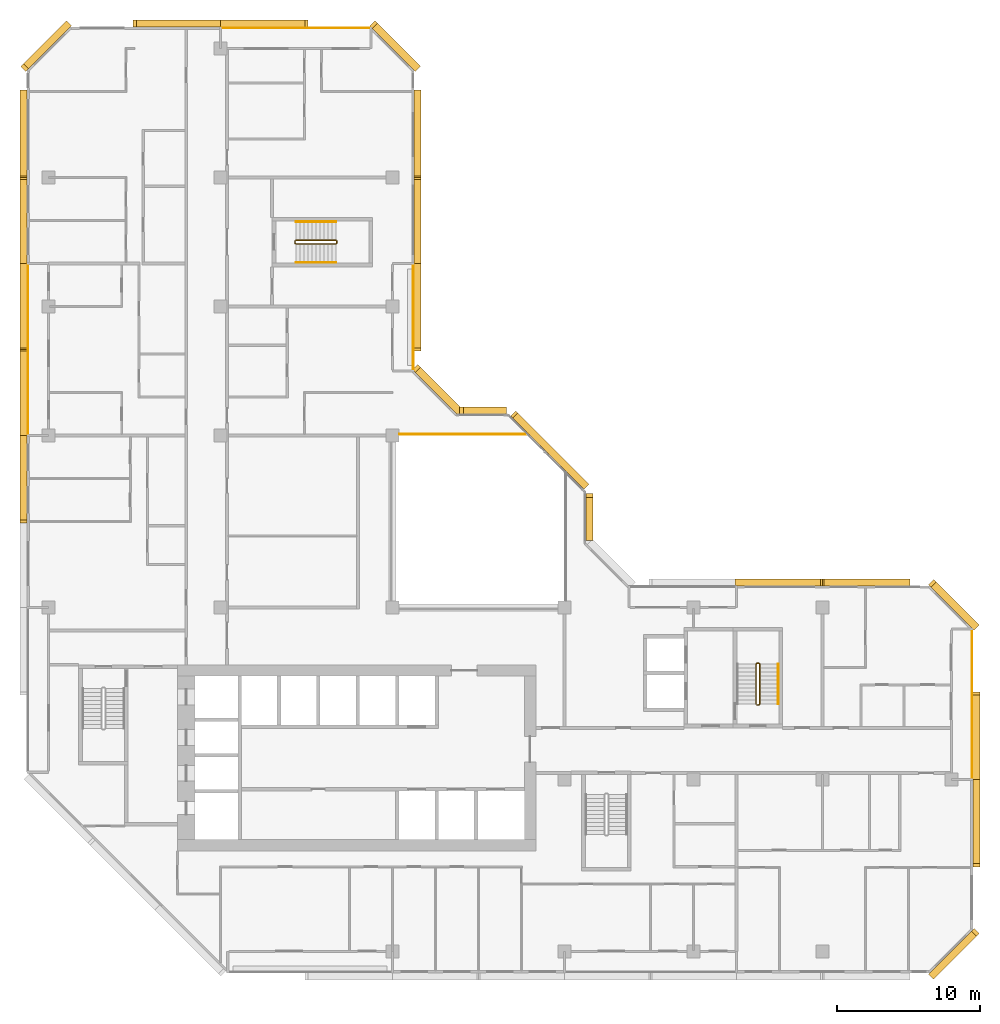
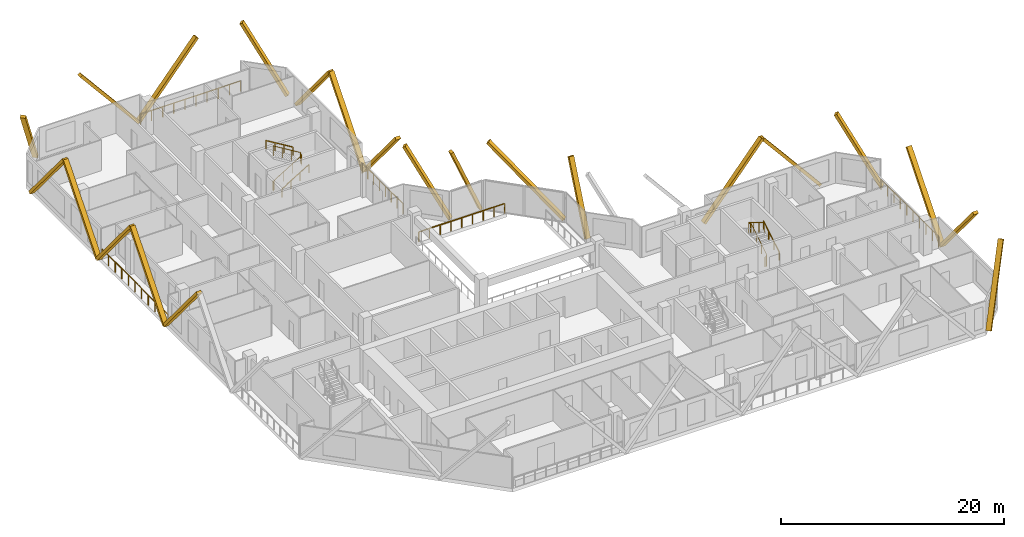
# One storey, part 14 of 14: 22 coverings, 10 railings.
"""IFC4 building model written with IfcOpenShell, lengths in metres."""

from ifc_helpers import new_model, si_unit, direction, frame, origin, origin_2d, place, context, subcontext, project, spatial, rectangle, extrude, material, material_profile, profile_set, type_object, element, save


model = new_model("IFC4")

# Units and contexts
model_context = context("Model", 3, precision=1e-05, world=origin(), true_north=direction((0.0, 1.0)))
body_context = subcontext(model_context, "Body", "Model", "MODEL_VIEW")
ifc_project = project(units=[si_unit("LENGTHUNIT", "METRE"), si_unit("AREAUNIT", "SQUARE_METRE"), si_unit("VOLUMEUNIT", "CUBIC_METRE"), si_unit("PLANEANGLEUNIT", "RADIAN"), si_unit("MASSUNIT", "GRAM", prefix="KILO")], contexts=[model_context])

# Site, building, storey
site_placement = place(None, origin())
site = spatial("IfcSite", under=ifc_project, at=site_placement, CompositionType="ELEMENT")
building_placement = place(site_placement, origin())
building = spatial("IfcBuilding", under=site, at=building_placement, Name="Chenar Terraces", CompositionType="ELEMENT")
storey_placement = place(building_placement, frame((0.0, 0.0, 179.89990234375)))
storey = spatial("IfcBuildingStorey", under=building, at=storey_placement, Name="L41", CompositionType="ELEMENT", Elevation=179.89990234375)

# Railings
ifc_material_1 = material(Name="Powder-coated steel", Category="steel")
railing_type_1 = type_object("IfcRailingType", Name="Guard 1100 steel rail with glass infill", PredefinedType="GUARDRAIL", material=ifc_material_1)
railing_1_placement = place(storey_placement, frame((24.5, 36.10009765625, 0.0)))
element("IfcRailing", 1, at=railing_1_placement, inside=storey, type_object=railing_type_1, Name="Guard L41-2", PredefinedType="GUARDRAIL", context=body_context, shape_type="SweptSolid", body=[
    extrude(rectangle(XDim=0.06005859375, YDim=0.06005859375, at=origin_2d()), frame((0.0, 0.0, 1.070068359375), z_axis=(1.0, 0.0, 0.0), x_axis=(0.0, 1.0, 0.0)), (0.0, 0.0, 1.0), 8.89990234375),
    extrude(rectangle(XDim=0.050048828125, YDim=0.050048828125, at=origin_2d()), origin(), (0.0, 0.0, 1.0), 1.0400390625),
    extrude(rectangle(XDim=0.050048828125, YDim=0.050048828125, at=origin_2d()), frame((1.112548828125, 0.0, 0.0)), (0.0, 0.0, 1.0), 1.0400390625),
    extrude(rectangle(XDim=0.050048828125, YDim=0.050048828125, at=origin_2d()), frame((2.22509765625, 0.0, 0.0)), (0.0, 0.0, 1.0), 1.0400390625),
    extrude(rectangle(XDim=0.050048828125, YDim=0.050048828125, at=origin_2d()), frame((3.33740234375, 0.0, 0.0)), (0.0, 0.0, 1.0), 1.0400390625),
    extrude(rectangle(XDim=0.050048828125, YDim=0.050048828125, at=origin_2d()), frame((4.449951171875, 0.0, 0.0)), (0.0, 0.0, 1.0), 1.0400390625),
    extrude(rectangle(XDim=0.050048828125, YDim=0.050048828125, at=origin_2d()), frame((5.5625, 0.0, 0.0)), (0.0, 0.0, 1.0), 1.0400390625),
    extrude(rectangle(XDim=0.050048828125, YDim=0.050048828125, at=origin_2d()), frame((6.6748046875, 0.0, 0.0)), (0.0, 0.0, 1.0), 1.0400390625),
    extrude(rectangle(XDim=0.050048828125, YDim=0.050048828125, at=origin_2d()), frame((7.787353515625, 0.0, 0.0)), (0.0, 0.0, 1.0), 1.0400390625),
    extrude(rectangle(XDim=0.050048828125, YDim=0.050048828125, at=origin_2d()), frame((8.89990234375, 0.0, 0.0)), (0.0, 0.0, 1.0), 1.0400390625),
])
ifc_material_2 = material(Name="Stainless steel and glass", Category="steel")
railing_type_2 = type_object("IfcRailingType", Name="Loggia guard 1150", PredefinedType="GUARDRAIL", material=ifc_material_2)
railing_2_placement = place(storey_placement, frame((25.449951171875, 40.574951171875, 0.0)))
element("IfcRailing", 2, at=railing_2_placement, inside=storey, type_object=railing_type_2, Name="Loggia guard", PredefinedType="GUARDRAIL", context=body_context, shape_type="SweptSolid", body=[
    extrude(rectangle(XDim=0.048095703125, YDim=0.048095703125, at=origin_2d()), frame((0.0, 0.0, 1.1259765625), z_axis=(0.0, 1.0, 0.0), x_axis=(-1.0, 0.0, 0.0)), (0.0, 0.0, 1.0), 7.35009765625),
    extrude(rectangle(XDim=0.0419921875, YDim=0.0419921875, at=origin_2d()), origin(), (0.0, 0.0, 1.0), 1.101806640625),
    extrude(rectangle(XDim=0.0419921875, YDim=0.0419921875, at=origin_2d()), frame((0.0, 1.050048828125, 0.0)), (0.0, 0.0, 1.0), 1.101806640625),
    extrude(rectangle(XDim=0.0419921875, YDim=0.0419921875, at=origin_2d()), frame((0.0, 2.10009765625, 0.0)), (0.0, 0.0, 1.0), 1.101806640625),
    extrude(rectangle(XDim=0.0419921875, YDim=0.0419921875, at=origin_2d()), frame((0.0, 3.150146484375, 0.0)), (0.0, 0.0, 1.0), 1.101806640625),
    extrude(rectangle(XDim=0.0419921875, YDim=0.0419921875, at=origin_2d()), frame((0.0, 4.199951171875, 0.0)), (0.0, 0.0, 1.0), 1.101806640625),
    extrude(rectangle(XDim=0.0419921875, YDim=0.0419921875, at=origin_2d()), frame((0.0, 5.25, 0.0)), (0.0, 0.0, 1.0), 1.101806640625),
    extrude(rectangle(XDim=0.0419921875, YDim=0.0419921875, at=origin_2d()), frame((0.0, 6.300048828125, 0.0)), (0.0, 0.0, 1.0), 1.101806640625),
    extrude(rectangle(XDim=0.0419921875, YDim=0.0419921875, at=origin_2d()), frame((0.0, 7.35009765625, 0.0)), (0.0, 0.0, 1.0), 1.101806640625),
])
railing_3_placement = place(storey_placement, frame((64.449951171875, 12.074951171875, 0.0)))
element("IfcRailing", 3, at=railing_3_placement, inside=storey, type_object=railing_type_2, Name="Loggia guard", PredefinedType="GUARDRAIL", context=body_context, shape_type="SweptSolid", body=[
    extrude(rectangle(XDim=0.048095703125, YDim=0.048095703125, at=origin_2d()), frame((0.0, 0.0, 1.1259765625), z_axis=(0.0, 1.0, 0.0), x_axis=(-1.0, 0.0, 0.0)), (0.0, 0.0, 1.0), 10.35009765625),
    extrude(rectangle(XDim=0.0419921875, YDim=0.0419921875, at=origin_2d()), origin(), (0.0, 0.0, 1.0), 1.101806640625),
    extrude(rectangle(XDim=0.0419921875, YDim=0.0419921875, at=origin_2d()), frame((0.0, 1.14990234375, 0.0)), (0.0, 0.0, 1.0), 1.101806640625),
    extrude(rectangle(XDim=0.0419921875, YDim=0.0419921875, at=origin_2d()), frame((0.0, 2.300048828125, 0.0)), (0.0, 0.0, 1.0), 1.101806640625),
    extrude(rectangle(XDim=0.0419921875, YDim=0.0419921875, at=origin_2d()), frame((0.0, 3.449951171875, 0.0)), (0.0, 0.0, 1.0), 1.101806640625),
    extrude(rectangle(XDim=0.0419921875, YDim=0.0419921875, at=origin_2d()), frame((0.0, 4.60009765625, 0.0)), (0.0, 0.0, 1.0), 1.101806640625),
    extrude(rectangle(XDim=0.0419921875, YDim=0.0419921875, at=origin_2d()), frame((0.0, 5.75, 0.0)), (0.0, 0.0, 1.0), 1.101806640625),
    extrude(rectangle(XDim=0.0419921875, YDim=0.0419921875, at=origin_2d()), frame((0.0, 6.900146484375, 0.0)), (0.0, 0.0, 1.0), 1.101806640625),
    extrude(rectangle(XDim=0.0419921875, YDim=0.0419921875, at=origin_2d()), frame((0.0, 8.050048828125, 0.0)), (0.0, 0.0, 1.0), 1.101806640625),
    extrude(rectangle(XDim=0.0419921875, YDim=0.0419921875, at=origin_2d()), frame((0.0, 9.2001953125, 0.0)), (0.0, 0.0, 1.0), 1.101806640625),
    extrude(rectangle(XDim=0.0419921875, YDim=0.0419921875, at=origin_2d()), frame((0.0, 10.35009765625, 0.0)), (0.0, 0.0, 1.0), 1.101806640625),
])
railing_4_placement = place(storey_placement, frame((22.425048828125, 64.449951171875, 0.0)))
element("IfcRailing", 4, at=railing_4_placement, inside=storey, type_object=railing_type_2, Name="Loggia guard", PredefinedType="GUARDRAIL", context=body_context, shape_type="SweptSolid", body=[
    extrude(rectangle(XDim=0.048095703125, YDim=0.048095703125, at=origin_2d()), frame((0.0, 0.0, 1.1259765625), z_axis=(-1.0, 0.0, 0.0), x_axis=(0.0, -1.0, 0.0)), (0.0, 0.0, 1.0), 10.35009765625),
    extrude(rectangle(XDim=0.0419921875, YDim=0.0419921875, at=origin_2d()), origin(), (0.0, 0.0, 1.0), 1.101806640625),
    extrude(rectangle(XDim=0.0419921875, YDim=0.0419921875, at=origin_2d()), frame((-1.14990234375, 0.0, 0.0)), (0.0, 0.0, 1.0), 1.101806640625),
    extrude(rectangle(XDim=0.0419921875, YDim=0.0419921875, at=origin_2d()), frame((-2.300048828125, 0.0, 0.0)), (0.0, 0.0, 1.0), 1.101806640625),
    extrude(rectangle(XDim=0.0419921875, YDim=0.0419921875, at=origin_2d()), frame((-3.449951171875, 0.0, 0.0)), (0.0, 0.0, 1.0), 1.101806640625),
    extrude(rectangle(XDim=0.0419921875, YDim=0.0419921875, at=origin_2d()), frame((-4.60009765625, 0.0, 0.0)), (0.0, 0.0, 1.0), 1.101806640625),
    extrude(rectangle(XDim=0.0419921875, YDim=0.0419921875, at=origin_2d()), frame((-5.75, 0.0, 0.0)), (0.0, 0.0, 1.0), 1.101806640625),
    extrude(rectangle(XDim=0.0419921875, YDim=0.0419921875, at=origin_2d()), frame((-6.900146484375, 0.0, 0.0)), (0.0, 0.0, 1.0), 1.101806640625),
    extrude(rectangle(XDim=0.0419921875, YDim=0.0419921875, at=origin_2d()), frame((-8.050048828125, 0.0, 0.0)), (0.0, 0.0, 1.0), 1.101806640625),
    extrude(rectangle(XDim=0.0419921875, YDim=0.0419921875, at=origin_2d()), frame((-9.2001953125, 0.0, 0.0)), (0.0, 0.0, 1.0), 1.101806640625),
    extrude(rectangle(XDim=0.0419921875, YDim=0.0419921875, at=origin_2d()), frame((-10.35009765625, 0.0, 0.0)), (0.0, 0.0, 1.0), 1.101806640625),
])
railing_5_placement = place(storey_placement, frame((-1.449951171875, 47.925048828125, 0.0)))
element("IfcRailing", 5, at=railing_5_placement, inside=storey, type_object=railing_type_2, Name="Loggia guard", PredefinedType="GUARDRAIL", context=body_context, shape_type="SweptSolid", body=[
    extrude(rectangle(XDim=0.048095703125, YDim=0.048095703125, at=origin_2d()), frame((0.0, 0.0, 1.1259765625), z_axis=(0.0, -1.0, 0.0), x_axis=(1.0, 0.0, 0.0)), (0.0, 0.0, 1.0), 11.85009765625),
    extrude(rectangle(XDim=0.0419921875, YDim=0.0419921875, at=origin_2d()), origin(), (0.0, 0.0, 1.0), 1.101806640625),
    extrude(rectangle(XDim=0.0419921875, YDim=0.0419921875, at=origin_2d()), frame((0.0, -1.18505859375, 0.0)), (0.0, 0.0, 1.0), 1.101806640625),
    extrude(rectangle(XDim=0.0419921875, YDim=0.0419921875, at=origin_2d()), frame((0.0, -2.3701171875, 0.0)), (0.0, 0.0, 1.0), 1.101806640625),
    extrude(rectangle(XDim=0.0419921875, YDim=0.0419921875, at=origin_2d()), frame((0.0, -3.554931640625, 0.0)), (0.0, 0.0, 1.0), 1.101806640625),
    extrude(rectangle(XDim=0.0419921875, YDim=0.0419921875, at=origin_2d()), frame((0.0, -4.739990234375, 0.0)), (0.0, 0.0, 1.0), 1.101806640625),
    extrude(rectangle(XDim=0.0419921875, YDim=0.0419921875, at=origin_2d()), frame((0.0, -5.925048828125, 0.0)), (0.0, 0.0, 1.0), 1.101806640625),
    extrude(rectangle(XDim=0.0419921875, YDim=0.0419921875, at=origin_2d()), frame((0.0, -7.110107421875, 0.0)), (0.0, 0.0, 1.0), 1.101806640625),
    extrude(rectangle(XDim=0.0419921875, YDim=0.0419921875, at=origin_2d()), frame((0.0, -8.295166015625, 0.0)), (0.0, 0.0, 1.0), 1.101806640625),
    extrude(rectangle(XDim=0.0419921875, YDim=0.0419921875, at=origin_2d()), frame((0.0, -9.47998046875, 0.0)), (0.0, 0.0, 1.0), 1.101806640625),
    extrude(rectangle(XDim=0.0419921875, YDim=0.0419921875, at=origin_2d()), frame((0.0, -10.6650390625, 0.0)), (0.0, 0.0, 1.0), 1.101806640625),
    extrude(rectangle(XDim=0.0419921875, YDim=0.0419921875, at=origin_2d()), frame((0.0, -11.85009765625, 0.0)), (0.0, 0.0, 1.0), 1.101806640625),
])
ifc_material_3 = material(Name="Powder-coated steel", Category="steel")
railing_type_3 = type_object("IfcRailingType", Name="Stair guard 1100", PredefinedType="GUARDRAIL", material=ifc_material_3)
railing_6_placement = place(storey_placement, frame((49.375, 17.25, 3.75)))
element("IfcRailing", 6, at=railing_6_placement, inside=storey, type_object=railing_type_3, Name="L41 ST3 stair guard 1", PredefinedType="GUARDRAIL", context=body_context, shape_type="SweptSolid", body=[
    extrude(rectangle(XDim=0.048095703125, YDim=0.048095703125, at=origin_2d()), frame((0.0, 0.0, 1.076171875), z_axis=(0.0, 0.854202870247, -0.519939858505), x_axis=(-1.0, 0.0, 0.0)), (0.0, 0.0, 1.0), 3.278076171875),
    extrude(rectangle(XDim=0.048095703125, YDim=0.048095703125, at=origin_2d()), frame((0.0, 2.800048828125, -0.62841796875), z_axis=(0.270899902878, 0.270899902878, -0.923702595667), x_axis=(-0.707106781187, 0.707106781187, 0.0)), (0.0, 0.0, 1.0), 0.184814453125),
    extrude(rectangle(XDim=0.048095703125, YDim=0.048095703125, at=origin_2d()), frame((0.050048828125, 2.85009765625, -0.798828125), z_axis=(1.0, 0.0, 0.0), x_axis=(0.0, 1.0, 0.0)), (0.0, 0.0, 1.0), 0.14990234375),
    extrude(rectangle(XDim=0.048095703125, YDim=0.048095703125, at=origin_2d()), frame((0.199951171875, 2.85009765625, -0.798828125), z_axis=(0.707106781187, -0.707106781187, 0.0), x_axis=(0.707106781187, 0.707106781187, 0.0)), (0.0, 0.0, 1.0), 0.07080078125),
    extrude(rectangle(XDim=0.048095703125, YDim=0.048095703125, at=origin_2d()), frame((0.25, 2.800048828125, -0.798828125), z_axis=(0.0, -0.854202870247, -0.519939858505), x_axis=(1.0, 0.0, 0.0)), (0.0, 0.0, 1.0), 3.278076171875),
    extrude(rectangle(XDim=0.048095703125, YDim=0.048095703125, at=origin_2d()), frame((0.25, 0.0, -2.50341796875), z_axis=(-0.270899902878, -0.270899902878, -0.923702595667), x_axis=(0.707106781187, -0.707106781187, 0.0)), (0.0, 0.0, 1.0), 0.184814453125),
    extrude(rectangle(XDim=0.048095703125, YDim=0.048095703125, at=origin_2d()), frame((0.199951171875, -0.050048828125, -2.673828125), z_axis=(-1.0, 0.0, 0.0), x_axis=(0.0, -1.0, 0.0)), (0.0, 0.0, 1.0), 0.14990234375),
    extrude(rectangle(XDim=0.0419921875, YDim=0.0419921875, at=origin_2d()), origin(), (0.0, 0.0, 1.0), 1.052001953125),
    extrude(rectangle(XDim=0.0419921875, YDim=0.0419921875, at=origin_2d()), frame((0.0, 0.933349609375, -0.568115234375)), (0.0, 0.0, 1.0), 1.052001953125),
    extrude(rectangle(XDim=0.0419921875, YDim=0.0419921875, at=origin_2d()), frame((0.0, 1.86669921875, -1.13623046875)), (0.0, 0.0, 1.0), 1.052001953125),
    extrude(rectangle(XDim=0.0419921875, YDim=0.0419921875, at=origin_2d()), frame((0.0, 2.800048828125, -1.704345703125)), (0.0, 0.0, 1.0), 1.052001953125),
    extrude(rectangle(XDim=0.0419921875, YDim=0.0419921875, at=origin_2d()), frame((0.050048828125, 2.85009765625, -1.875)), (0.0, 0.0, 1.0), 1.052001953125),
    extrude(rectangle(XDim=0.0419921875, YDim=0.0419921875, at=origin_2d()), frame((0.199951171875, 2.85009765625, -1.875)), (0.0, 0.0, 1.0), 1.052001953125),
    extrude(rectangle(XDim=0.0419921875, YDim=0.0419921875, at=origin_2d()), frame((0.25, 2.800048828125, -1.875)), (0.0, 0.0, 1.0), 1.052001953125),
    extrude(rectangle(XDim=0.0419921875, YDim=0.0419921875, at=origin_2d()), frame((0.25, 1.86669921875, -2.443115234375)), (0.0, 0.0, 1.0), 1.052001953125),
    extrude(rectangle(XDim=0.0419921875, YDim=0.0419921875, at=origin_2d()), frame((0.25, 0.933349609375, -3.01123046875)), (0.0, 0.0, 1.0), 1.052001953125),
    extrude(rectangle(XDim=0.0419921875, YDim=0.0419921875, at=origin_2d()), frame((0.25, 0.0, -3.579345703125)), (0.0, 0.0, 1.0), 1.052001953125),
    extrude(rectangle(XDim=0.0419921875, YDim=0.0419921875, at=origin_2d()), frame((0.199951171875, -0.050048828125, -3.75)), (0.0, 0.0, 1.0), 1.052001953125),
    extrude(rectangle(XDim=0.0419921875, YDim=0.0419921875, at=origin_2d()), frame((0.050048828125, -0.050048828125, -3.75)), (0.0, 0.0, 1.0), 1.052001953125),
])
railing_7_placement = place(storey_placement, frame((17.25, 49.625, 3.75)))
element("IfcRailing", 7, at=railing_7_placement, inside=storey, type_object=railing_type_3, Name="L41 ST4 stair guard 1", PredefinedType="GUARDRAIL", context=body_context, shape_type="SweptSolid", body=[
    extrude(rectangle(XDim=0.048095703125, YDim=0.048095703125, at=origin_2d()), frame((0.0, 0.0, 1.076171875), z_axis=(0.854202870247, 0.0, -0.519939858505), x_axis=(0.0, 1.0, 0.0)), (0.0, 0.0, 1.0), 3.278076171875),
    extrude(rectangle(XDim=0.048095703125, YDim=0.048095703125, at=origin_2d()), frame((2.800048828125, 0.0, -0.62841796875), z_axis=(0.270899902878, -0.270899902878, -0.923702595667), x_axis=(0.707106781187, 0.707106781187, 0.0)), (0.0, 0.0, 1.0), 0.184814453125),
    extrude(rectangle(XDim=0.048095703125, YDim=0.048095703125, at=origin_2d()), frame((2.85009765625, -0.050048828125, -0.798828125), z_axis=(0.0, -1.0, 0.0), x_axis=(1.0, 0.0, 0.0)), (0.0, 0.0, 1.0), 0.14990234375),
    extrude(rectangle(XDim=0.048095703125, YDim=0.048095703125, at=origin_2d()), frame((2.85009765625, -0.199951171875, -0.798828125), z_axis=(-0.707106781187, -0.707106781187, 0.0), x_axis=(0.707106781187, -0.707106781187, 0.0)), (0.0, 0.0, 1.0), 0.07080078125),
    extrude(rectangle(XDim=0.048095703125, YDim=0.048095703125, at=origin_2d()), frame((2.800048828125, -0.25, -0.798828125), z_axis=(-0.854202870247, 0.0, -0.519939858505), x_axis=(0.0, -1.0, 0.0)), (0.0, 0.0, 1.0), 3.278076171875),
    extrude(rectangle(XDim=0.048095703125, YDim=0.048095703125, at=origin_2d()), frame((0.0, -0.25, -2.50341796875), z_axis=(-0.270899902878, 0.270899902878, -0.923702595667), x_axis=(-0.707106781187, -0.707106781187, 0.0)), (0.0, 0.0, 1.0), 0.184814453125),
    extrude(rectangle(XDim=0.048095703125, YDim=0.048095703125, at=origin_2d()), frame((-0.050048828125, -0.199951171875, -2.673828125), z_axis=(0.0, 1.0, 0.0), x_axis=(-1.0, 0.0, 0.0)), (0.0, 0.0, 1.0), 0.14990234375),
    extrude(rectangle(XDim=0.0419921875, YDim=0.0419921875, at=origin_2d()), origin(), (0.0, 0.0, 1.0), 1.052001953125),
    extrude(rectangle(XDim=0.0419921875, YDim=0.0419921875, at=origin_2d()), frame((0.933349609375, 0.0, -0.568115234375)), (0.0, 0.0, 1.0), 1.052001953125),
    extrude(rectangle(XDim=0.0419921875, YDim=0.0419921875, at=origin_2d()), frame((1.86669921875, 0.0, -1.13623046875)), (0.0, 0.0, 1.0), 1.052001953125),
    extrude(rectangle(XDim=0.0419921875, YDim=0.0419921875, at=origin_2d()), frame((2.800048828125, 0.0, -1.704345703125)), (0.0, 0.0, 1.0), 1.052001953125),
    extrude(rectangle(XDim=0.0419921875, YDim=0.0419921875, at=origin_2d()), frame((2.85009765625, -0.050048828125, -1.875)), (0.0, 0.0, 1.0), 1.052001953125),
    extrude(rectangle(XDim=0.0419921875, YDim=0.0419921875, at=origin_2d()), frame((2.85009765625, -0.199951171875, -1.875)), (0.0, 0.0, 1.0), 1.052001953125),
    extrude(rectangle(XDim=0.0419921875, YDim=0.0419921875, at=origin_2d()), frame((2.800048828125, -0.25, -1.875)), (0.0, 0.0, 1.0), 1.052001953125),
    extrude(rectangle(XDim=0.0419921875, YDim=0.0419921875, at=origin_2d()), frame((1.86669921875, -0.25, -2.443115234375)), (0.0, 0.0, 1.0), 1.052001953125),
    extrude(rectangle(XDim=0.0419921875, YDim=0.0419921875, at=origin_2d()), frame((0.933349609375, -0.25, -3.01123046875)), (0.0, 0.0, 1.0), 1.052001953125),
    extrude(rectangle(XDim=0.0419921875, YDim=0.0419921875, at=origin_2d()), frame((0.0, -0.25, -3.579345703125)), (0.0, 0.0, 1.0), 1.052001953125),
    extrude(rectangle(XDim=0.0419921875, YDim=0.0419921875, at=origin_2d()), frame((-0.050048828125, -0.199951171875, -3.75)), (0.0, 0.0, 1.0), 1.052001953125),
    extrude(rectangle(XDim=0.0419921875, YDim=0.0419921875, at=origin_2d()), frame((-0.050048828125, -0.050048828125, -3.75)), (0.0, 0.0, 1.0), 1.052001953125),
])
ifc_material_4 = material(Name="Powder-coated steel", Category="steel")
railing_type_4 = type_object("IfcRailingType", Name="Stair handrail 900", PredefinedType="HANDRAIL", material=ifc_material_4)
railing_8_placement = place(storey_placement, frame((50.925048828125, 17.25, 0.170654296875)))
element("IfcRailing", 8, at=railing_8_placement, inside=storey, type_object=railing_type_4, Name="L41 ST3 stair handrail 1", PredefinedType="HANDRAIL", context=body_context, shape_type="SweptSolid", body=[
    extrude(rectangle(XDim=0.048095703125, YDim=0.048095703125, at=origin_2d()), frame((0.0, 0.0, 0.8759765625), z_axis=(0.0, 0.854202870247, 0.519939858505), x_axis=(-1.0, 0.0, 0.0)), (0.0, 0.0, 1.0), 3.278076171875),
    extrude(rectangle(XDim=0.0419921875, YDim=0.0419921875, at=origin_2d()), origin(), (0.0, 0.0, 1.0), 0.851806640625),
    extrude(rectangle(XDim=0.0419921875, YDim=0.0419921875, at=origin_2d()), frame((0.0, 0.933349609375, 0.568115234375)), (0.0, 0.0, 1.0), 0.851806640625),
    extrude(rectangle(XDim=0.0419921875, YDim=0.0419921875, at=origin_2d()), frame((0.0, 1.86669921875, 1.13623046875)), (0.0, 0.0, 1.0), 0.851806640625),
    extrude(rectangle(XDim=0.0419921875, YDim=0.0419921875, at=origin_2d()), frame((0.0, 2.800048828125, 1.704345703125)), (0.0, 0.0, 1.0), 0.851806640625),
])
railing_9_placement = place(storey_placement, frame((17.25, 48.074951171875, 0.170654296875)))
element("IfcRailing", 9, at=railing_9_placement, inside=storey, type_object=railing_type_4, Name="L41 ST4 stair handrail 1", PredefinedType="HANDRAIL", context=body_context, shape_type="SweptSolid", body=[
    extrude(rectangle(XDim=0.048095703125, YDim=0.048095703125, at=origin_2d()), frame((0.0, 0.0, 0.8759765625), z_axis=(0.854202870247, 0.0, 0.519939858505), x_axis=(0.0, 1.0, 0.0)), (0.0, 0.0, 1.0), 3.278076171875),
    extrude(rectangle(XDim=0.0419921875, YDim=0.0419921875, at=origin_2d()), origin(), (0.0, 0.0, 1.0), 0.851806640625),
    extrude(rectangle(XDim=0.0419921875, YDim=0.0419921875, at=origin_2d()), frame((0.933349609375, 0.0, 0.568115234375)), (0.0, 0.0, 1.0), 0.851806640625),
    extrude(rectangle(XDim=0.0419921875, YDim=0.0419921875, at=origin_2d()), frame((1.86669921875, 0.0, 1.13623046875)), (0.0, 0.0, 1.0), 0.851806640625),
    extrude(rectangle(XDim=0.0419921875, YDim=0.0419921875, at=origin_2d()), frame((2.800048828125, 0.0, 1.704345703125)), (0.0, 0.0, 1.0), 0.851806640625),
])
railing_10_placement = place(storey_placement, frame((20.050048828125, 50.925048828125, 2.045654296875)))
element("IfcRailing", 10, at=railing_10_placement, inside=storey, type_object=railing_type_4, Name="L41 ST4 stair handrail 2", PredefinedType="HANDRAIL", context=body_context, shape_type="SweptSolid", body=[
    extrude(rectangle(XDim=0.048095703125, YDim=0.048095703125, at=origin_2d()), frame((0.0, 0.0, 0.8759765625), z_axis=(-0.854202870247, 0.0, 0.519939858505), x_axis=(0.0, -1.0, 0.0)), (0.0, 0.0, 1.0), 3.278076171875),
    extrude(rectangle(XDim=0.0419921875, YDim=0.0419921875, at=origin_2d()), origin(), (0.0, 0.0, 1.0), 0.851806640625),
    extrude(rectangle(XDim=0.0419921875, YDim=0.0419921875, at=origin_2d()), frame((-0.933349609375, 0.0, 0.568115234375)), (0.0, 0.0, 1.0), 0.851806640625),
    extrude(rectangle(XDim=0.0419921875, YDim=0.0419921875, at=origin_2d()), frame((-1.86669921875, 0.0, 1.13623046875)), (0.0, 0.0, 1.0), 0.851806640625),
    extrude(rectangle(XDim=0.0419921875, YDim=0.0419921875, at=origin_2d()), frame((-2.800048828125, 0.0, 1.704345703125)), (0.0, 0.0, 1.0), 0.851806640625),
])

# Coverings
ifc_material_5 = material(Name="Terracotta", Category="masonry")
ifc_material_profile = material_profile(ifc_material_5, rectangle(XDim=0.5, YDim=0.300048828125, at=origin_2d()), Name="Terracotta baguette 500 x 300")
ifc_profile_set = profile_set([ifc_material_profile], Name="Terracotta")
covering_type = type_object("IfcCoveringType", Name="Terracotta baguette 500 x 300", PredefinedType="CLADDING", material=ifc_profile_set)
for number, where, z_axis, x_axis, name in (
    (11, (60.0, 25.75, 0.150146484375), (-0.640186961885, 0.0, 0.768219144407), (0.0, -1.0, 0.0), "Terracotta baguette"),
    (12, (54.0, 25.75, 7.35009765625), (-0.640186961885, 0.0, -0.768219144407), (0.0, -1.0, 0.0), "Terracotta baguette"),
):
    element("IfcCovering", number, at=place(storey_placement, frame(where, z_axis=z_axis, x_axis=x_axis)), inside=storey, type_object=covering_type, Name=name, PredefinedType="CLADDING", context=body_context, shape_type="SweptSolid", body=[
        extrude(rectangle(XDim=0.5, YDim=0.300048828125, at=origin_2d()), origin(), (0.0, 0.0, 1.0), 9.372314453125),
    ])
covering_1_placement = place(storey_placement, frame((37.75, 28.800048828125, 0.150146484375), z_axis=(0.0, 0.384617607118, 0.923075997031), x_axis=(-1.0, 0.0, 0.0)))
element("IfcCovering", 13, at=covering_1_placement, inside=storey, type_object=covering_type, Name="Terracotta baguette", PredefinedType="CLADDING", context=body_context, shape_type="SweptSolid", body=[
    extrude(rectangle(XDim=0.5, YDim=0.300048828125, at=origin_2d()), origin(), (0.0, 0.0, 1.0), 7.800048828125),
])
covering_2_placement = place(storey_placement, frame((37.464599609375, 32.489013671875, 0.150146484375), z_axis=(-0.4942466441, 0.494222393737, 0.715167449151), x_axis=(-0.707089433343, -0.707124128605, 0.0)))
element("IfcCovering", 14, at=covering_2_placement, inside=storey, type_object=covering_type, Name="Terracotta baguette", PredefinedType="CLADDING", context=body_context, shape_type="SweptSolid", body=[
    extrude(rectangle(XDim=0.5, YDim=0.300048828125, at=origin_2d()), origin(), (0.0, 0.0, 1.0), 10.0673828125),
])
covering_3_placement = place(storey_placement, frame((31.800048828125, 37.75, 0.150146484375), z_axis=(-0.384617607118, 0.0, 0.923075997031), x_axis=(0.0, -1.0, 0.0)))
element("IfcCovering", 15, at=covering_3_placement, inside=storey, type_object=covering_type, Name="Terracotta baguette", PredefinedType="CLADDING", context=body_context, shape_type="SweptSolid", body=[
    extrude(rectangle(XDim=0.5, YDim=0.300048828125, at=origin_2d()), origin(), (0.0, 0.0, 1.0), 7.800048828125),
])
covering_4_placement = place(storey_placement, frame((28.6767578125, 37.6767578125, 0.150146484375), z_axis=(-0.358980886355, 0.358980886355, 0.861548284464), x_axis=(-0.707106781187, -0.707106781187, 0.0)))
element("IfcCovering", 16, at=covering_4_placement, inside=storey, type_object=covering_type, Name="Terracotta baguette", PredefinedType="CLADDING", context=body_context, shape_type="SweptSolid", body=[
    extrude(rectangle(XDim=0.5, YDim=0.300048828125, at=origin_2d()), origin(), (0.0, 0.0, 1.0), 8.35693359375),
])
for number, where, z_axis, x_axis, name in (
    (17, (25.75, 42.0, 7.35009765625), (0.0, 0.640186961885, -0.768219144407), (-1.0, 0.0, 0.0), "Terracotta baguette"),
    (18, (25.75, 48.0, 0.150146484375), (0.0, 0.640186961885, 0.768219144407), (-1.0, 0.0, 0.0), "Terracotta baguette"),
    (19, (25.75, 54.0, 7.35009765625), (0.0, 0.640186961885, -0.768219144407), (-1.0, 0.0, 0.0), "Terracotta baguette"),
):
    element("IfcCovering", number, at=place(storey_placement, frame(where, z_axis=z_axis, x_axis=x_axis)), inside=storey, type_object=covering_type, Name=name, PredefinedType="CLADDING", context=body_context, shape_type="SweptSolid", body=[
        extrude(rectangle(XDim=0.5, YDim=0.300048828125, at=origin_2d()), origin(), (0.0, 0.0, 1.0), 9.372314453125),
    ])
covering_5_placement = place(storey_placement, frame((25.6767578125, 61.6767578125, 0.150146484375), z_axis=(-0.358980886355, 0.358980886355, 0.861548284464), x_axis=(-0.707106781187, -0.707106781187, 0.0)))
element("IfcCovering", 20, at=covering_5_placement, inside=storey, type_object=covering_type, Name="Terracotta baguette", PredefinedType="CLADDING", context=body_context, shape_type="SweptSolid", body=[
    extrude(rectangle(XDim=0.5, YDim=0.300048828125, at=origin_2d()), origin(), (0.0, 0.0, 1.0), 8.35693359375),
])
for number, where, z_axis, x_axis, name in (
    (21, (18.0, 64.75, 7.35009765625), (-0.640186961885, 0.0, -0.768219144407), (0.0, -1.0, 0.0), "Terracotta baguette"),
    (22, (12.0, 64.75, 0.150146484375), (-0.640186961885, 0.0, 0.768219144407), (0.0, -1.0, 0.0), "Terracotta baguette"),
):
    element("IfcCovering", number, at=place(storey_placement, frame(where, z_axis=z_axis, x_axis=x_axis)), inside=storey, type_object=covering_type, Name=name, PredefinedType="CLADDING", context=body_context, shape_type="SweptSolid", body=[
        extrude(rectangle(XDim=0.5, YDim=0.300048828125, at=origin_2d()), origin(), (0.0, 0.0, 1.0), 9.372314453125),
    ])
covering_6_placement = place(storey_placement, frame((1.3232421875, 64.6767578125, 0.150146484375), z_axis=(-0.358980886355, -0.358980886355, 0.861548284464), x_axis=(0.707106781187, -0.707106781187, 0.0)))
element("IfcCovering", 23, at=covering_6_placement, inside=storey, type_object=covering_type, Name="Terracotta baguette", PredefinedType="CLADDING", context=body_context, shape_type="SweptSolid", body=[
    extrude(rectangle(XDim=0.5, YDim=0.300048828125, at=origin_2d()), origin(), (0.0, 0.0, 1.0), 8.35693359375),
])
for number, where, z_axis, x_axis, name in (
    (24, (-1.75, 60.0, 0.150146484375), (0.0, -0.640186961885, 0.768219144407), (1.0, 0.0, 0.0), "Terracotta baguette"),
    (25, (-1.75, 54.0, 7.35009765625), (0.0, -0.640186961885, -0.768219144407), (1.0, 0.0, 0.0), "Terracotta baguette"),
    (26, (-1.75, 48.0, 0.150146484375), (0.0, -0.640186961885, 0.768219144407), (1.0, 0.0, 0.0), "Terracotta baguette"),
    (27, (-1.75, 42.0, 7.35009765625), (0.0, -0.640186961885, -0.768219144407), (1.0, 0.0, 0.0), "Terracotta baguette"),
    (28, (-1.75, 36.0, 0.150146484375), (0.0, -0.640186961885, 0.768219144407), (1.0, 0.0, 0.0), "Terracotta baguette"),
):
    element("IfcCovering", number, at=place(storey_placement, frame(where, z_axis=z_axis, x_axis=x_axis)), inside=storey, type_object=covering_type, Name=name, PredefinedType="CLADDING", context=body_context, shape_type="SweptSolid", body=[
        extrude(rectangle(XDim=0.5, YDim=0.300048828125, at=origin_2d()), origin(), (0.0, 0.0, 1.0), 9.372314453125),
    ])
covering_7_placement = place(storey_placement, frame((61.6767578125, -1.6767578125, 0.150146484375), z_axis=(0.358980886355, 0.358980886355, 0.861548284464), x_axis=(-0.707106781187, 0.707106781187, 0.0)))
element("IfcCovering", 29, at=covering_7_placement, inside=storey, type_object=covering_type, Name="Terracotta baguette", PredefinedType="CLADDING", context=body_context, shape_type="SweptSolid", body=[
    extrude(rectangle(XDim=0.5, YDim=0.300048828125, at=origin_2d()), origin(), (0.0, 0.0, 1.0), 8.35693359375),
])
for number, where, z_axis, x_axis, name in (
    (30, (64.75, 6.0, 7.35009765625), (0.0, 0.640186961885, -0.768219144407), (-1.0, 0.0, 0.0), "Terracotta baguette"),
    (31, (64.75, 12.0, 0.150146484375), (0.0, 0.640186961885, 0.768219144407), (-1.0, 0.0, 0.0), "Terracotta baguette"),
):
    element("IfcCovering", number, at=place(storey_placement, frame(where, z_axis=z_axis, x_axis=x_axis)), inside=storey, type_object=covering_type, Name=name, PredefinedType="CLADDING", context=body_context, shape_type="SweptSolid", body=[
        extrude(rectangle(XDim=0.5, YDim=0.300048828125, at=origin_2d()), origin(), (0.0, 0.0, 1.0), 9.372314453125),
    ])
covering_8_placement = place(storey_placement, frame((64.6767578125, 22.6767578125, 0.150146484375), z_axis=(-0.358980886355, 0.358980886355, 0.861548284464), x_axis=(-0.707106781187, -0.707106781187, 0.0)))
element("IfcCovering", 32, at=covering_8_placement, inside=storey, type_object=covering_type, Name="Terracotta baguette", PredefinedType="CLADDING", context=body_context, shape_type="SweptSolid", body=[
    extrude(rectangle(XDim=0.5, YDim=0.300048828125, at=origin_2d()), origin(), (0.0, 0.0, 1.0), 8.35693359375),
])

save(model, "model.ifc")
